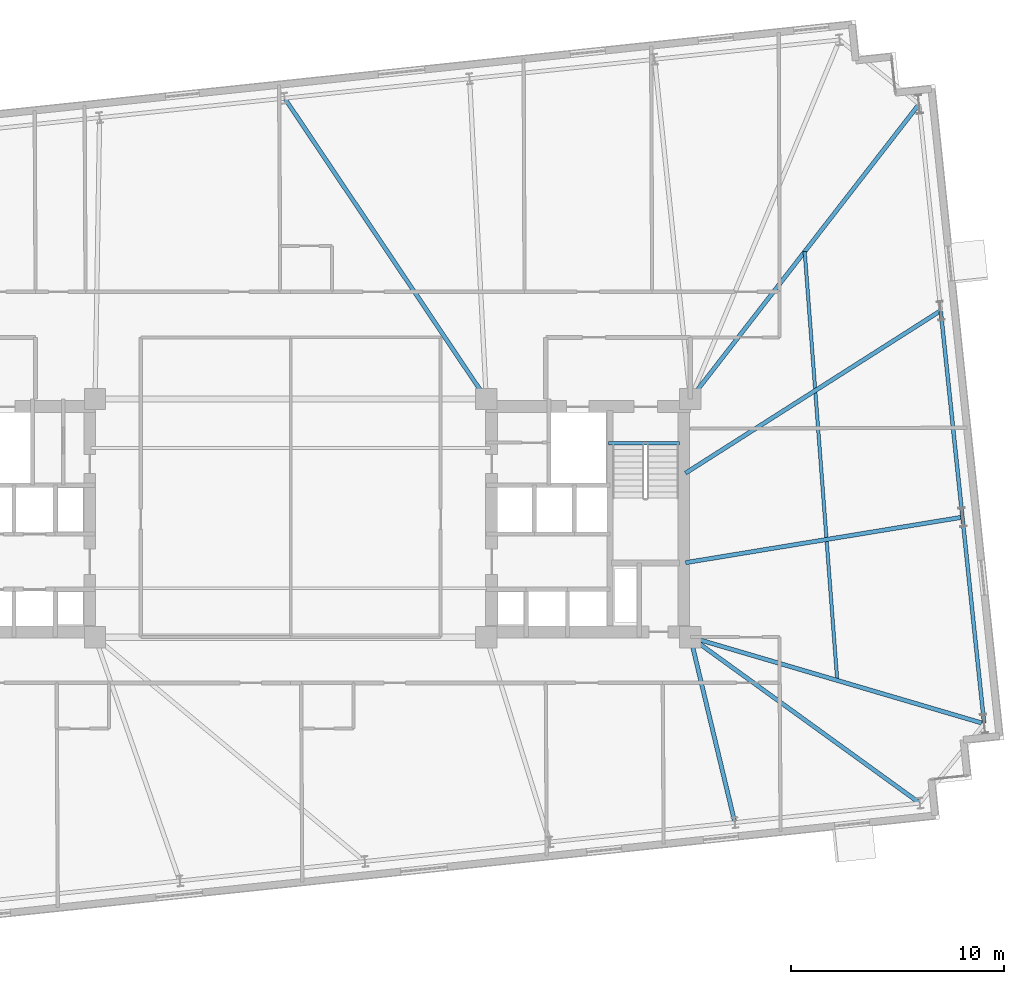
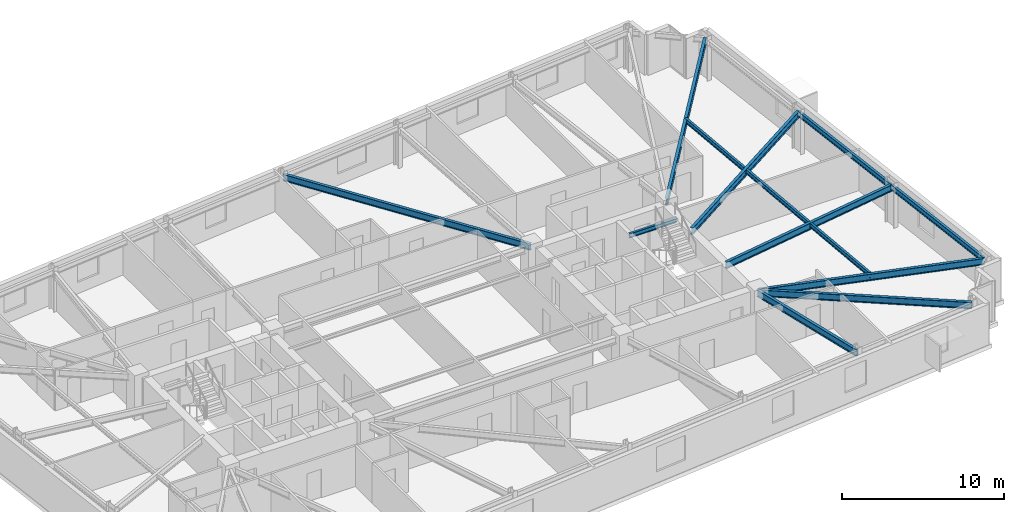
# One storey, part 7 of 17: 11 beams.
"""IFC4 building model written with IfcOpenShell, lengths in metres."""

from ifc_helpers import new_model, si_unit, direction, frame, origin, origin_2d, place, context, subcontext, project, spatial, i_section, extrude, material, material_profile, profile_set, type_object, element, save


model = new_model("IFC4")

# Units and contexts
model_context = context("Model", 3, precision=1e-05, world=origin(), true_north=direction((0.0, 1.0)))
body_context = subcontext(model_context, "Body", "Model", "MODEL_VIEW")
ifc_project = project(units=[si_unit("LENGTHUNIT", "METRE"), si_unit("AREAUNIT", "SQUARE_METRE"), si_unit("VOLUMEUNIT", "CUBIC_METRE"), si_unit("PLANEANGLEUNIT", "RADIAN"), si_unit("MASSUNIT", "GRAM", prefix="KILO")], contexts=[model_context])

# Site, building, storey
site_placement = place(None, origin())
site = spatial("IfcSite", under=ifc_project, at=site_placement, CompositionType="ELEMENT")
building_placement = place(site_placement, origin())
building = spatial("IfcBuilding", under=site, at=building_placement, Name="Qobustan Lattice House", CompositionType="ELEMENT")
storey_placement = place(building_placement, frame((0.0, 0.0, 112.5)))
storey = spatial("IfcBuildingStorey", under=building, at=storey_placement, Name="L31", CompositionType="ELEMENT", Elevation=112.5)

# Beams
ifc_material_1 = material(Name="Steel S355", Category="steel")
ifc_material_profile_1 = material_profile(ifc_material_1, i_section(OverallWidth=0.199951171875, OverallDepth=0.5, WebThickness=0.01025390625, FlangeThickness=0.01611328125, FilletRadius=0.02099609375, at=origin_2d()), Name="IPE500")
ifc_profile_set_1 = profile_set([ifc_material_profile_1], Name="Steel S355")
beam_type_1 = type_object("IfcBeamType", Name="BM-FLG-IPE500", PredefinedType="USERDEFINED", material=ifc_profile_set_1)
beam_1_placement = place(storey_placement, frame((20.885009765625, -14.297607421875, 2.794921875), z_axis=(-0.233107910855, 0.97245087377, 0.0), x_axis=(-0.97245087377, -0.233107910855, 0.0)))
element("IfcBeam", 1, at=beam_1_placement, inside=storey, type_object=beam_type_1, Name="L31 primary floor girder RAD-S6", ObjectType="GIRDER", PredefinedType="USERDEFINED", context=body_context, shape_type="SweptSolid", body=[
    extrude(i_section(OverallWidth=0.199951171875, OverallDepth=0.5, WebThickness=0.01025390625, FlangeThickness=0.01611328125, FilletRadius=0.02099609375, at=origin_2d()), origin(), (0.0, 0.0, 1.0), 8.9189453125),
])
beam_2_placement = place(storey_placement, frame((29.572509765625, -13.392578125, 2.794921875), z_axis=(-0.81023705091, 0.586102313024, 0.0), x_axis=(-0.586102313024, -0.81023705091, 0.0)))
element("IfcBeam", 2, at=beam_2_placement, inside=storey, type_object=beam_type_1, Name="L31 primary floor girder RAD-S7E", ObjectType="GIRDER", PredefinedType="USERDEFINED", context=body_context, shape_type="SweptSolid", body=[
    extrude(i_section(OverallWidth=0.199951171875, OverallDepth=0.5, WebThickness=0.01025390625, FlangeThickness=0.01611328125, FilletRadius=0.02099609375, at=origin_2d()), origin(), (0.0, 0.0, 1.0), 13.2705078125),
])
beam_3_placement = place(storey_placement, frame((-0.272705078125, 19.730224609375, 2.794921875), z_axis=(0.556837669082, -0.830621339896, 0.0), x_axis=(0.830621339896, 0.556837669082, 0.0)))
element("IfcBeam", 3, at=beam_3_placement, inside=storey, type_object=beam_type_1, Name="L31 primary floor girder RAD-N4", ObjectType="GIRDER", PredefinedType="USERDEFINED", context=body_context, shape_type="SweptSolid", body=[
    extrude(i_section(OverallWidth=0.199951171875, OverallDepth=0.5, WebThickness=0.01025390625, FlangeThickness=0.01611328125, FilletRadius=0.02099609375, at=origin_2d()), origin(), (0.0, 0.0, 1.0), 16.986572265625),
])
beam_4_placement = place(storey_placement, frame((29.541015625, 19.44921875, 2.794921875), z_axis=(-0.612860318028, -0.790191262029, 0.0), x_axis=(0.790191262029, -0.612860318028, 0.0)))
element("IfcBeam", 4, at=beam_4_placement, inside=storey, type_object=beam_type_1, Name="L31 primary floor girder RAD-E4", ObjectType="GIRDER", PredefinedType="USERDEFINED", context=body_context, shape_type="SweptSolid", body=[
    extrude(i_section(OverallWidth=0.199951171875, OverallDepth=0.5, WebThickness=0.01025390625, FlangeThickness=0.01611328125, FilletRadius=0.02099609375, at=origin_2d()), origin(), (0.0, 0.0, 1.0), 17.501220703125),
])
beam_5_placement = place(storey_placement, frame((30.555908203125, 9.742431640625, 2.794921875), z_axis=(-0.843584351199, -0.536996687525, 0.0), x_axis=(0.536996687525, -0.843584351199, 0.0)))
element("IfcBeam", 5, at=beam_5_placement, inside=storey, type_object=beam_type_1, Name="L31 primary floor girder RAD-E3", ObjectType="GIRDER", PredefinedType="USERDEFINED", context=body_context, shape_type="SweptSolid", body=[
    extrude(i_section(OverallWidth=0.199951171875, OverallDepth=0.5, WebThickness=0.01025390625, FlangeThickness=0.01611328125, FilletRadius=0.02099609375, at=origin_2d()), origin(), (0.0, 0.0, 1.0), 14.20703125),
])
beam_6_placement = place(storey_placement, frame((31.5732421875, 0.03857421875, 2.794921875), z_axis=(-0.986783828506, -0.162042203761, 0.0), x_axis=(0.162042203761, -0.986783828506, 0.0)))
element("IfcBeam", 6, at=beam_6_placement, inside=storey, type_object=beam_type_1, Name="L31 primary floor girder RAD-E2", ObjectType="GIRDER", PredefinedType="USERDEFINED", context=body_context, shape_type="SweptSolid", body=[
    extrude(i_section(OverallWidth=0.199951171875, OverallDepth=0.5, WebThickness=0.01025390625, FlangeThickness=0.01611328125, FilletRadius=0.02099609375, at=origin_2d()), origin(), (0.0, 0.0, 1.0), 13.172607421875),
])
beam_7_placement = place(storey_placement, frame((32.594970703125, -9.663330078125, 2.794921875), z_axis=(-0.959254941513, 0.282541956499, 0.0), x_axis=(-0.282541956499, -0.959254941513, 0.0)))
element("IfcBeam", 7, at=beam_7_placement, inside=storey, type_object=beam_type_1, Name="L31 primary floor girder RAD-E1", ObjectType="GIRDER", PredefinedType="USERDEFINED", context=body_context, shape_type="SweptSolid", body=[
    extrude(i_section(OverallWidth=0.199951171875, OverallDepth=0.5, WebThickness=0.01025390625, FlangeThickness=0.01611328125, FilletRadius=0.02099609375, at=origin_2d()), origin(), (0.0, 0.0, 1.0), 14.35595703125),
])
ifc_material_2 = material(Name="Steel S355", Category="steel")
ifc_material_profile_2 = material_profile(ifc_material_2, i_section(OverallWidth=0.159912109375, OverallDepth=0.330078125, WebThickness=0.007568359375, FlangeThickness=0.011474609375, FilletRadius=0.01806640625, at=origin_2d()), Name="IPE330")
ifc_profile_set_2 = profile_set([ifc_material_profile_2], Name="Steel S355")
beam_type_2 = type_object("IfcBeamType", Name="BM-SEC-IPE330", PredefinedType="BEAM", material=ifc_profile_set_2)
beam_8_placement = place(storey_placement, frame((24.177978515625, 12.534423828125, 2.8798828125), z_axis=(0.075712576466, -0.997129683524, 0.0), x_axis=(0.997129683524, 0.075712576466, 0.0)))
element("IfcBeam", 8, at=beam_8_placement, inside=storey, type_object=beam_type_2, Name="L31 east wing secondary beam", PredefinedType="BEAM", context=body_context, shape_type="SweptSolid", body=[
    extrude(i_section(OverallWidth=0.159912109375, OverallDepth=0.330078125, WebThickness=0.007568359375, FlangeThickness=0.011474609375, FilletRadius=0.01806640625, at=origin_2d()), origin(), (0.0, 0.0, 1.0), 20.227783203125),
])
ifc_material_3 = material(Name="Steel S355", Category="steel")
ifc_material_profile_3 = material_profile(ifc_material_3, i_section(OverallWidth=0.159912109375, OverallDepth=0.330078125, WebThickness=0.007568359375, FlangeThickness=0.011474609375, FilletRadius=0.01806640625, at=origin_2d()), Name="IPE330")
ifc_profile_set_3 = profile_set([ifc_material_profile_3], Name="Steel S355")
beam_type_3 = type_object("IfcBeamType", Name="BM-SPD-IPE330", PredefinedType="SPANDREL", material=ifc_profile_set_3)
beam_9_placement = place(storey_placement, frame((14.949951171875, 3.52001953125, 2.8798828125), z_axis=(1.0, 0.0, 0.0), x_axis=(0.0, 1.0, 0.0)))
element("IfcBeam", 9, at=beam_9_placement, inside=storey, type_object=beam_type_3, Name="L31 east stair landing trimmer beam", PredefinedType="SPANDREL", context=body_context, shape_type="SweptSolid", body=[
    extrude(i_section(OverallWidth=0.159912109375, OverallDepth=0.330078125, WebThickness=0.007568359375, FlangeThickness=0.011474609375, FilletRadius=0.01806640625, at=origin_2d()), origin(), (0.0, 0.0, 1.0), 3.35009765625),
])
ifc_material_4 = material(Name="Steel S355", Category="steel")
ifc_material_profile_4 = material_profile(ifc_material_4, i_section(OverallWidth=0.179931640625, OverallDepth=0.39990234375, WebThickness=0.008544921875, FlangeThickness=0.013427734375, FilletRadius=0.02099609375, at=origin_2d()), Name="IPE400")
ifc_profile_set_4 = profile_set([ifc_material_profile_4], Name="Steel S355")
beam_type_4 = type_object("IfcBeamType", Name="BM-SPD-IPE400", PredefinedType="SPANDREL", material=ifc_profile_set_4)
for number, where, z_axis, x_axis, name in (
    (10, (32.6162109375, -9.6455078125, 2.844970703125), (-0.104525214252, 0.994522236848, 0.0), (-0.994522236848, -0.104525214252, 0.0), "L31 perimeter spandrel E1-E2"),
    (11, (31.595458984375, 0.067626953125, 2.844970703125), (-0.10455006589, 0.994519624604, 0.0), (-0.994519624604, -0.10455006589, 0.0), "L31 perimeter spandrel E2-E3"),
):
    element("IfcBeam", number, at=place(storey_placement, frame(where, z_axis=z_axis, x_axis=x_axis)), inside=storey, type_object=beam_type_4, Name=name, PredefinedType="SPANDREL", context=body_context, shape_type="SweptSolid", body=[
        extrude(i_section(OverallWidth=0.179931640625, OverallDepth=0.39990234375, WebThickness=0.008544921875, FlangeThickness=0.013427734375, FilletRadius=0.02099609375, at=origin_2d()), origin(), (0.0, 0.0, 1.0), 9.716552734375),
    ])

save(model, "model.ifc")
